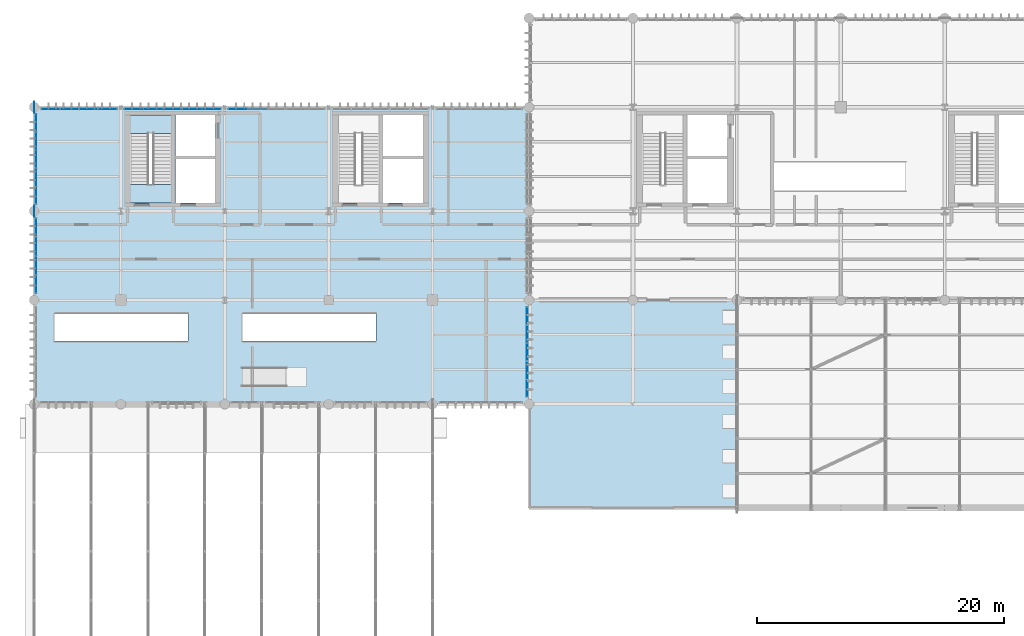
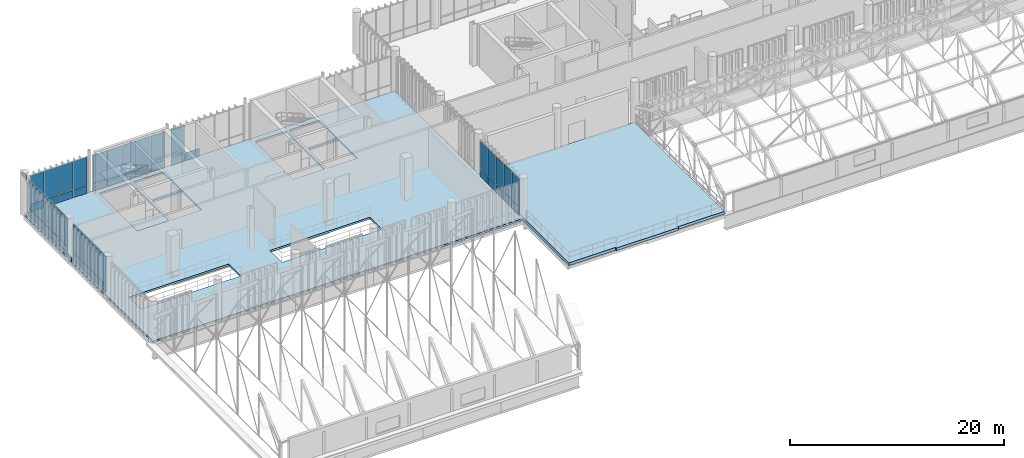
# One storey, part 80 of 109: 51 plates, 4 slabs, 7 elements without a shape of their own.
"""IFC4 building model written with IfcOpenShell, lengths in metres."""

import ifcopenshell
import ifcopenshell.guid

model = None  # the IFC model being written
_history = None  # IfcOwnerHistory: only IFC2X3 demands one
_inside = {}  # id of a spatial element -> (the spatial element, [elements in it])
_under = {}  # id of a project, library or spatial element -> (it, [spatial elements below it])
_declared = {}  # id of a project -> (the project, [libraries it declares])
_typed = {}  # id of a type object -> (the type object, [elements of that type])
_made_of = {}  # id of a material, layer set ... -> (it, [elements and type objects made of it])


def new_model(schema):
    """Start an empty IFC model of exactly this schema.

    Asked for "IFC4X3", IfcOpenShell would pick the latest addendum, in which some entities
    have other attributes; the version numbers below select the first issue.
    IFC2X3 requires an IfcOwnerHistory on every rooted entity: one is made here for all.
    """
    global model, _history
    if schema == "IFC4X3":
        model = ifcopenshell.file(schema_version=(4, 3, 0, 0))
    else:
        model = ifcopenshell.file(schema=schema)
    _inside.clear()
    _under.clear()
    _declared.clear()
    _typed.clear()
    _made_of.clear()
    _history = None
    if model.schema == "IFC2X3":
        org = make("IfcOrganization", Name="unknown")
        user = make(
            "IfcPersonAndOrganization",
            ThePerson=make("IfcPerson", FamilyName="unknown"),
            TheOrganization=org,
        )
        app = make(
            "IfcApplication",
            ApplicationDeveloper=org,
            Version="unknown",
            ApplicationFullName="unknown",
            ApplicationIdentifier="unknown",
        )
        _history = make(
            "IfcOwnerHistory",
            OwningUser=user,
            OwningApplication=app,
            ChangeAction="ADDED",
            CreationDate=0,
        )
    return model


def make(cls, **values):
    """One entity of the class cls with the attributes given. An attribute that is None is left unset."""
    return model.create_entity(
        cls, **{name: value for name, value in values.items() if value is not None}
    )


def rooted(cls, **values):
    """An entity with a GlobalId (a new one), such as an element, a storey or a relation."""
    return make(cls, GlobalId=ifcopenshell.guid.new(), OwnerHistory=_history, **values)


def si_unit(unit_type, name, prefix=None):
    """IfcSIUnit, for example si_unit("LENGTHUNIT", "METRE", prefix="MILLI")."""
    return make("IfcSIUnit", UnitType=unit_type, Prefix=prefix, Name=name)


def assignment(units):
    """IfcUnitAssignment: the units of a project."""
    return None if units is None else make("IfcUnitAssignment", Units=units)


def point(xyz):
    """IfcCartesianPoint."""
    return None if xyz is None else make("IfcCartesianPoint", Coordinates=xyz)


def direction(xyz):
    """IfcDirection."""
    return None if xyz is None else make("IfcDirection", DirectionRatios=xyz)


def frame(location, z_axis=None, x_axis=None):
    """IfcAxis2Placement3D, a coordinate frame: its origin and axes. An axis left out is left unset."""
    return make(
        "IfcAxis2Placement3D",
        Location=point(location),
        Axis=direction(z_axis),
        RefDirection=direction(x_axis),
    )


def frame_2d(location, x_axis=None):
    """IfcAxis2Placement2D, a coordinate frame in the plane: its origin and x axis."""
    return make(
        "IfcAxis2Placement2D", Location=point(location), RefDirection=direction(x_axis)
    )


def origin_with_axes():
    """The frame at (0, 0, 0) with the z axis (0, 0, 1) and the x axis (1, 0, 0) written out."""
    return frame((0.0, 0.0, 0.0), z_axis=(0.0, 0.0, 1.0), x_axis=(1.0, 0.0, 0.0))


def origin_2d_with_axis():
    """The frame at (0, 0) in the plane with the x axis (1, 0) written out."""
    return frame_2d((0.0, 0.0), x_axis=(1.0, 0.0))


def place(relative_to, where):
    """IfcLocalPlacement: puts the frame where relative to a parent placement (None: the world)."""
    return make(
        "IfcLocalPlacement", PlacementRelTo=relative_to, RelativePlacement=where
    )


def context(
    kind, dimensions, precision=None, world=None, true_north=None, identifier=None
):
    """IfcGeometricRepresentationContext, for example the 3D "Model" context."""
    return make(
        "IfcGeometricRepresentationContext",
        ContextIdentifier=identifier,
        ContextType=kind,
        CoordinateSpaceDimension=dimensions,
        Precision=precision,
        WorldCoordinateSystem=world,
        TrueNorth=true_north,
    )


def subcontext(parent, identifier, kind, view, scale=None):
    """IfcGeometricRepresentationSubContext, for example "Body" below "Model"."""
    return make(
        "IfcGeometricRepresentationSubContext",
        ContextIdentifier=identifier,
        ContextType=kind,
        ParentContext=parent,
        TargetScale=scale,
        TargetView=view,
    )


def project(units=None, contexts=None):
    """IfcProject with its units and contexts."""
    return rooted(
        "IfcProject",
        Name="project",
        RepresentationContexts=contexts,
        UnitsInContext=assignment(units),
    )


def spatial(cls, under=None, at=None, **own):
    """A site, building, storey or space (cls), placed at a placement, below another one or the project."""
    s = rooted(cls, ObjectPlacement=at, **own)
    if under is not None:
        _under.setdefault(under.id(), (under, []))[1].append(s)
    return s


def polyline(points):
    """IfcPolyline through the points."""
    return make("IfcPolyline", Points=[point(p) for p in points])


def profile(cls, at=None, kind="AREA", **sizes):
    """A parametric profile (cls). Its sizes go by their IFC names, for example OverallWidth=200.0."""
    return make(cls, ProfileType=kind, Position=at, **sizes)


def rectangle(**sizes):
    """IfcRectangleProfileDef."""
    return profile("IfcRectangleProfileDef", **sizes)


def outline(outer, holes=None, kind="AREA"):
    """IfcArbitraryClosedProfileDef: a profile drawn as a closed curve; with holes, ...WithVoids."""
    if holes is None:
        return make("IfcArbitraryClosedProfileDef", ProfileType=kind, OuterCurve=outer)
    return make(
        "IfcArbitraryProfileDefWithVoids",
        ProfileType=kind,
        OuterCurve=outer,
        InnerCurves=holes,
    )


def extrude(swept, where, along, depth):
    """IfcExtrudedAreaSolid: the profile swept, set in the frame where, extruded along a direction by depth."""
    return make(
        "IfcExtrudedAreaSolid",
        SweptArea=swept,
        Position=where,
        ExtrudedDirection=direction(along),
        Depth=depth,
    )


def shape(context_of_items, identifier, shape_type, items):
    """IfcShapeRepresentation: the items that make up one representation, for example the "Body"."""
    return make(
        "IfcShapeRepresentation",
        ContextOfItems=context_of_items,
        RepresentationIdentifier=identifier,
        RepresentationType=shape_type,
        Items=items,
    )


def material(Name=None, Category=None):
    """IfcMaterial."""
    return make("IfcMaterial", Name=Name, Category=Category)


def layer(
    of_material, thickness, ventilated=None, Name=None, Category=None, Priority=None
):
    """IfcMaterialLayer: one layer of a wall or slab, of a material (None: an air gap)."""
    return make(
        "IfcMaterialLayer",
        Material=of_material,
        LayerThickness=thickness,
        IsVentilated=ventilated,
        Name=Name,
        Category=Category,
        Priority=Priority,
    )


def layer_set(layers, Name=None):
    """IfcMaterialLayerSet."""
    return make("IfcMaterialLayerSet", MaterialLayers=layers, LayerSetName=Name)


def made_of(thing, what):
    """Note that an element or type object is made of a material, layer set ...; save() writes the relation."""
    if what is not None:
        _made_of.setdefault(what.id(), (what, []))[1].append(thing)
    return thing


def type_object(cls, material=None, **own):
    """A type object (cls), such as IfcWallType, which elements share."""
    return made_of(rooted(cls, **own), material)


def element(
    cls,
    number,
    at=None,
    inside=None,
    cuts=None,
    type_object=None,
    material=None,
    context=None,
    identifier="Body",
    shape_type=None,
    held_by="IfcProductDefinitionShape",
    body=None,
    shapes=None,
    **own,
):
    """One element of the class cls, such as IfcWall. Its Tag is "e" and its number.

    at: its placement. inside: the storey or other place that contains it. cuts: it is an
    opening in that element (IfcRelVoidsElement). A single representation is given by context,
    identifier, shape_type and body (its items); several are given by shapes. held_by: the class
    of the entity that holds the representations. save() writes the other relations.
    """
    e = rooted(cls, Tag="e%d" % number, ObjectPlacement=at, **own)
    if body is not None:
        shapes = [shape(context, identifier, shape_type, body)]
    if shapes is not None:
        e.Representation = make(held_by, Representations=shapes)
    if inside is not None:
        _inside.setdefault(inside.id(), (inside, []))[1].append(e)
    if cuts is not None:
        rooted(
            "IfcRelVoidsElement", RelatingBuildingElement=cuts, RelatedOpeningElement=e
        )
    if type_object is not None:
        _typed.setdefault(type_object.id(), (type_object, []))[1].append(e)
    return made_of(e, material)


def aggregate(whole, parts):
    """IfcRelAggregates: a whole, such as a stair, and the parts it consists of."""
    return rooted("IfcRelAggregates", RelatingObject=whole, RelatedObjects=parts)


def save(model, path):
    """Write the relations noted so far, then the file.

    IfcRelAggregates (storeys below a building ...), IfcRelContainedInSpatialStructure (elements
    in a storey), IfcRelDefinesByType, IfcRelAssociatesMaterial and IfcRelDeclares: one each for
    every whole, place, type object, material and project.
    """
    for whole, parts in _under.values():
        aggregate(whole, parts)
    for where, things in _inside.values():
        rooted(
            "IfcRelContainedInSpatialStructure",
            RelatedElements=things,
            RelatingStructure=where,
        )
    for kind, things in _typed.values():
        rooted("IfcRelDefinesByType", RelatedObjects=things, RelatingType=kind)
    for what, things in _made_of.values():
        rooted("IfcRelAssociatesMaterial", RelatedObjects=things, RelatingMaterial=what)
    for by, libraries in _declared.values():
        rooted("IfcRelDeclares", RelatingContext=by, RelatedDefinitions=libraries)
    model.write(path)


model = new_model("IFC4")

# Units and contexts
model_context = context("Model", 3, precision=1e-05, world=origin_with_axes(), true_north=direction((0.0, 1.0)))
body_context = subcontext(model_context, "Body", "Model", "MODEL_VIEW")
ifc_project = project(units=[si_unit("LENGTHUNIT", "METRE"), si_unit("AREAUNIT", "SQUARE_METRE"), si_unit("VOLUMEUNIT", "CUBIC_METRE"), si_unit("PLANEANGLEUNIT", "RADIAN"), si_unit("MASSUNIT", "GRAM", prefix="KILO"), si_unit("THERMODYNAMICTEMPERATUREUNIT", "KELVIN")], contexts=[model_context])

# Site, building, storey
site_placement = place(None, origin_with_axes())
site = spatial("IfcSite", under=ifc_project, at=site_placement, CompositionType="ELEMENT")
building_placement = place(site_placement, origin_with_axes())
building = spatial("IfcBuilding", under=site, at=building_placement, Name="Montbau Bow Law Courts", CompositionType="ELEMENT")
storey_placement = place(building_placement, frame((0.0, 0.0, 10.8), z_axis=(0.0, 0.0, 1.0), x_axis=(1.0, 0.0, 0.0)))
storey = spatial("IfcBuildingStorey", under=building, at=storey_placement, Name="L02", CompositionType="ELEMENT", Elevation=10.8)

# Curtain wall, plates
ifc_material_1 = material(Name="Thermally Broken Extruded Aluminium AA 6063-T6", Category="aluminium")
curtain_wall_type = type_object("IfcCurtainWallType", Name="CW-TRC-01", PredefinedType="NOTDEFINED", material=ifc_material_1)
curtain_wall_1_placement = place(None, frame((7.315, 54.46, 10.8), z_axis=(0.0, 0.0, 1.0), x_axis=(1.0, 0.0, 0.0)))
curtain_wall_1 = element("IfcCurtainWall", 1, at=curtain_wall_1_placement, inside=storey, type_object=curtain_wall_type, Name="CW-L02-039:cw_0039", PredefinedType="NOTDEFINED")
ifc_material_2 = material(Name="Triple-Glazed Low-E Argon Insulating Glass Unit", Category="glass")
ifc_layer_1 = layer(ifc_material_2, 0.044, Name="Curtain Panel", Category="glass")
ifc_layer_set_1 = layer_set([ifc_layer_1], Name="Triple-Glazed Low-E Argon Insulating Glass Unit")
plate_type_1 = type_object("IfcPlateType", Name="PL-CWP-01", PredefinedType="CURTAIN_PANEL", material=ifc_layer_set_1)
plate_1_placement = place(None, frame((7.391, 54.46, 11.78), z_axis=(0.0, -1.0, 0.0), x_axis=(1.0, 0.0, 0.0)))
plate_1 = element("IfcPlate", 2, at=plate_1_placement, type_object=plate_type_1, Name="CW-L02-039-P01-2:cw_0039_P01_2", PredefinedType="CURTAIN_PANEL", context=body_context, shape_type="SweptSolid", body=[
    extrude(rectangle(XDim=1.438, YDim=3.183, at=frame_2d((0.719, 1.5915), x_axis=(1.0, 0.0))), frame((0.0, 0.0, -0.022), z_axis=(0.0, 0.0, 1.0), x_axis=(1.0, 0.0, 0.0)), (0.0, 0.0, 1.0), 0.044),
])
plate_2_placement = place(None, frame((8.909, 54.46, 11.78), z_axis=(0.0, -1.0, 0.0), x_axis=(1.0, 0.0, 0.0)))
plate_2 = element("IfcPlate", 3, at=plate_2_placement, type_object=plate_type_1, Name="CW-L02-039-P02-2:cw_0039_P02_2", PredefinedType="CURTAIN_PANEL", context=body_context, shape_type="SweptSolid", body=[
    extrude(rectangle(XDim=1.476, YDim=3.183, at=frame_2d((0.738, 1.5915), x_axis=(1.0, 0.0))), frame((0.0, 0.0, -0.022), z_axis=(0.0, 0.0, 1.0), x_axis=(1.0, 0.0, 0.0)), (0.0, 0.0, 1.0), 0.044),
])
plate_3_placement = place(None, frame((10.463, 54.46, 11.78), z_axis=(0.0, -1.0, 0.0), x_axis=(1.0, 0.0, 0.0)))
plate_3 = element("IfcPlate", 4, at=plate_3_placement, type_object=plate_type_1, Name="CW-L02-039-P03-2:cw_0039_P03_2", PredefinedType="CURTAIN_PANEL", context=body_context, shape_type="SweptSolid", body=[
    extrude(rectangle(XDim=1.476, YDim=3.183, at=frame_2d((0.738, 1.5915), x_axis=(1.0, 0.0))), frame((0.0, 0.0, -0.022), z_axis=(0.0, 0.0, 1.0), x_axis=(1.0, 0.0, 0.0)), (0.0, 0.0, 1.0), 0.044),
])
plate_4_placement = place(None, frame((12.017, 54.46, 11.78), z_axis=(0.0, -1.0, 0.0), x_axis=(1.0, 0.0, 0.0)))
plate_4 = element("IfcPlate", 5, at=plate_4_placement, type_object=plate_type_1, Name="CW-L02-039-P04-2:cw_0039_P04_2", PredefinedType="CURTAIN_PANEL", context=body_context, shape_type="SweptSolid", body=[
    extrude(rectangle(XDim=1.439, YDim=3.183, at=frame_2d((0.7195, 1.5915), x_axis=(1.0, 0.0))), frame((0.0, 0.0, -0.022), z_axis=(0.0, 0.0, 1.0), x_axis=(1.0, 0.0, 0.0)), (0.0, 0.0, 1.0), 0.044),
])

curtain_wall_2_placement = place(None, frame((14.068, 54.46, 10.8), z_axis=(0.0, 0.0, 1.0), x_axis=(1.0, 0.0, 0.0)))
curtain_wall_2 = element("IfcCurtainWall", 6, at=curtain_wall_2_placement, inside=storey, type_object=curtain_wall_type, Name="CW-L02-040:cw_0040", PredefinedType="NOTDEFINED")
plate_5_placement = place(None, frame((14.136, 54.46, 11.782), z_axis=(0.0, -1.0, 0.0), x_axis=(1.0, 0.0, 0.0)))
plate_5 = element("IfcPlate", 7, at=plate_5_placement, type_object=plate_type_1, Name="CW-L02-040-P01-2:cw_0040_P01_2", PredefinedType="CURTAIN_PANEL", context=body_context, shape_type="SweptSolid", body=[
    extrude(rectangle(XDim=1.47, YDim=3.176, at=frame_2d((0.735, 1.588), x_axis=(1.0, 0.0))), frame((0.0, 0.0, -0.022), z_axis=(0.0, 0.0, 1.0), x_axis=(1.0, 0.0, 0.0)), (0.0, 0.0, 1.0), 0.044),
])
plate_6_placement = place(None, frame((15.675, 54.46, 11.782), z_axis=(0.0, -1.0, 0.0), x_axis=(1.0, 0.0, 0.0)))
plate_6 = element("IfcPlate", 8, at=plate_6_placement, type_object=plate_type_1, Name="CW-L02-040-P02-2:cw_0040_P02_2", PredefinedType="CURTAIN_PANEL", context=body_context, shape_type="SweptSolid", body=[
    extrude(rectangle(XDim=1.504, YDim=3.176, at=frame_2d((0.752, 1.588), x_axis=(1.0, 0.0))), frame((0.0, 0.0, -0.022), z_axis=(0.0, 0.0, 1.0), x_axis=(1.0, 0.0, 0.0)), (0.0, 0.0, 1.0), 0.044),
])
plate_7_placement = place(None, frame((17.248, 54.46, 11.782), z_axis=(0.0, -1.0, 0.0), x_axis=(1.0, 0.0, 0.0)))
plate_7 = element("IfcPlate", 9, at=plate_7_placement, type_object=plate_type_1, Name="CW-L02-040-P03-2:cw_0040_P03_2", PredefinedType="CURTAIN_PANEL", context=body_context, shape_type="SweptSolid", body=[
    extrude(rectangle(XDim=1.505, YDim=3.176, at=frame_2d((0.7525, 1.588), x_axis=(1.0, 0.0))), frame((0.0, 0.0, -0.022), z_axis=(0.0, 0.0, 1.0), x_axis=(1.0, 0.0, 0.0)), (0.0, 0.0, 1.0), 0.044),
])
plate_8_placement = place(None, frame((18.821, 54.46, 11.782), z_axis=(0.0, -1.0, 0.0), x_axis=(1.0, 0.0, 0.0)))
plate_8 = element("IfcPlate", 10, at=plate_8_placement, type_object=plate_type_1, Name="CW-L02-040-P04-2:cw_0040_P04_2", PredefinedType="CURTAIN_PANEL", context=body_context, shape_type="SweptSolid", body=[
    extrude(rectangle(XDim=1.505, YDim=3.176, at=frame_2d((0.7525, 1.588), x_axis=(1.0, 0.0))), frame((0.0, 0.0, -0.022), z_axis=(0.0, 0.0, 1.0), x_axis=(1.0, 0.0, 0.0)), (0.0, 0.0, 1.0), 0.044),
])
plate_9_placement = place(None, frame((20.394, 54.46, 11.782), z_axis=(0.0, -1.0, 0.0), x_axis=(1.0, 0.0, 0.0)))
plate_9 = element("IfcPlate", 11, at=plate_9_placement, type_object=plate_type_1, Name="CW-L02-040-P05-2:cw_0040_P05_2", PredefinedType="CURTAIN_PANEL", context=body_context, shape_type="SweptSolid", body=[
    extrude(rectangle(XDim=1.473, YDim=3.176, at=frame_2d((0.7365, 1.588), x_axis=(1.0, 0.0))), frame((0.0, 0.0, -0.022), z_axis=(0.0, 0.0, 1.0), x_axis=(1.0, 0.0, 0.0)), (0.0, 0.0, 1.0), 0.044),
])

# Curtain wall, plate
curtain_wall_3_placement = place(None, frame((22.467, 54.46, 10.8), z_axis=(0.0, 0.0, 1.0), x_axis=(1.0, 0.0, 0.0)))
curtain_wall_3 = element("IfcCurtainWall", 12, at=curtain_wall_3_placement, inside=storey, type_object=curtain_wall_type, Name="CW-L02-041:cw_0041", PredefinedType="NOTDEFINED")
plate_10_placement = place(None, frame((22.529, 54.46, 11.78), z_axis=(0.0, -1.0, 0.0), x_axis=(1.0, 0.0, 0.0)))
plate_10 = element("IfcPlate", 13, at=plate_10_placement, type_object=plate_type_1, Name="CW-L02-041-P01-2:cw_0041_P01_2", PredefinedType="CURTAIN_PANEL", context=body_context, shape_type="SweptSolid", body=[
    extrude(rectangle(XDim=1.479, YDim=3.183, at=frame_2d((0.7395, 1.5915), x_axis=(1.0, 0.0))), frame((0.0, 0.0, -0.022), z_axis=(0.0, 0.0, 1.0), x_axis=(1.0, 0.0, 0.0)), (0.0, 0.0, 1.0), 0.044),
])

# Curtain wall, plates
curtain_wall_4_placement = place(None, frame((6.94, 39.515, 10.8), z_axis=(0.0, 0.0, 1.0), x_axis=(1.0, 0.0, 0.0)))
curtain_wall_4 = element("IfcCurtainWall", 14, at=curtain_wall_4_placement, inside=storey, type_object=curtain_wall_type, Name="CW-L02-045:cw_0045", PredefinedType="NOTDEFINED")
plate_11_placement = place(None, frame((6.94, 39.591, 11.78), z_axis=(1.0, 0.0, 0.0), x_axis=(0.0, 1.0, 0.0)))
plate_11 = element("IfcPlate", 15, at=plate_11_placement, type_object=plate_type_1, Name="CW-L02-045-P01-2:cw_0045_P01_2", PredefinedType="CURTAIN_PANEL", context=body_context, shape_type="SweptSolid", body=[
    extrude(rectangle(XDim=1.427, YDim=3.183, at=frame_2d((0.7135, 1.5915), x_axis=(1.0, 0.0))), frame((0.0, 0.0, -0.022), z_axis=(0.0, 0.0, 1.0), x_axis=(1.0, 0.0, 0.0)), (0.0, 0.0, 1.0), 0.044),
])
plate_12_placement = place(None, frame((6.94, 41.098, 11.78), z_axis=(1.0, 0.0, 0.0), x_axis=(0.0, 1.0, 0.0)))
plate_12 = element("IfcPlate", 16, at=plate_12_placement, type_object=plate_type_1, Name="CW-L02-045-P02-2:cw_0045_P02_2", PredefinedType="CURTAIN_PANEL", context=body_context, shape_type="SweptSolid", body=[
    extrude(rectangle(XDim=1.463, YDim=3.183, at=frame_2d((0.7315, 1.5915), x_axis=(1.0, 0.0))), frame((0.0, 0.0, -0.022), z_axis=(0.0, 0.0, 1.0), x_axis=(1.0, 0.0, 0.0)), (0.0, 0.0, 1.0), 0.044),
])
plate_13_placement = place(None, frame((6.94, 42.639, 11.78), z_axis=(1.0, 0.0, 0.0), x_axis=(0.0, 1.0, 0.0)))
plate_13 = element("IfcPlate", 17, at=plate_13_placement, type_object=plate_type_1, Name="CW-L02-045-P03-2:cw_0045_P03_2", PredefinedType="CURTAIN_PANEL", context=body_context, shape_type="SweptSolid", body=[
    extrude(rectangle(XDim=1.465, YDim=3.183, at=frame_2d((0.7325, 1.5915), x_axis=(1.0, 0.0))), frame((0.0, 0.0, -0.022), z_axis=(0.0, 0.0, 1.0), x_axis=(1.0, 0.0, 0.0)), (0.0, 0.0, 1.0), 0.044),
])
plate_14_placement = place(None, frame((6.94, 44.182, 11.78), z_axis=(1.0, 0.0, 0.0), x_axis=(0.0, 1.0, 0.0)))
plate_14 = element("IfcPlate", 18, at=plate_14_placement, type_object=plate_type_1, Name="CW-L02-045-P04-2:cw_0045_P04_2", PredefinedType="CURTAIN_PANEL", context=body_context, shape_type="SweptSolid", body=[
    extrude(rectangle(XDim=1.427, YDim=3.183, at=frame_2d((0.7135, 1.5915), x_axis=(1.0, 0.0))), frame((0.0, 0.0, -0.022), z_axis=(0.0, 0.0, 1.0), x_axis=(1.0, 0.0, 0.0)), (0.0, 0.0, 1.0), 0.044),
])

curtain_wall_5_placement = place(None, frame((6.94, 46.715, 10.8), z_axis=(0.0, 0.0, 1.0), x_axis=(1.0, 0.0, 0.0)))
curtain_wall_5 = element("IfcCurtainWall", 19, at=curtain_wall_5_placement, inside=storey, type_object=curtain_wall_type, Name="CW-L02-046:cw_0046", PredefinedType="NOTDEFINED")
plate_15_placement = place(None, frame((6.94, 46.783, 11.782), z_axis=(1.0, 0.0, 0.0), x_axis=(0.0, 1.0, 0.0)))
plate_15 = element("IfcPlate", 20, at=plate_15_placement, type_object=plate_type_1, Name="CW-L02-046-P01-2:cw_0046_P01_2", PredefinedType="CURTAIN_PANEL", context=body_context, shape_type="SweptSolid", body=[
    extrude(rectangle(XDim=1.372, YDim=3.176, at=frame_2d((0.686, 1.588), x_axis=(1.0, 0.0))), frame((0.0, 0.0, -0.022), z_axis=(0.0, 0.0, 1.0), x_axis=(1.0, 0.0, 0.0)), (0.0, 0.0, 1.0), 0.044),
])
plate_16_placement = place(None, frame((6.94, 48.223, 11.782), z_axis=(1.0, 0.0, 0.0), x_axis=(0.0, 1.0, 0.0)))
plate_16 = element("IfcPlate", 21, at=plate_16_placement, type_object=plate_type_1, Name="CW-L02-046-P02-2:cw_0046_P02_2", PredefinedType="CURTAIN_PANEL", context=body_context, shape_type="SweptSolid", body=[
    extrude(rectangle(XDim=1.405, YDim=3.176, at=frame_2d((0.7025, 1.588), x_axis=(1.0, 0.0))), frame((0.0, 0.0, -0.022), z_axis=(0.0, 0.0, 1.0), x_axis=(1.0, 0.0, 0.0)), (0.0, 0.0, 1.0), 0.044),
])
plate_17_placement = place(None, frame((6.94, 49.697, 11.782), z_axis=(1.0, 0.0, 0.0), x_axis=(0.0, 1.0, 0.0)))
plate_17 = element("IfcPlate", 22, at=plate_17_placement, type_object=plate_type_1, Name="CW-L02-046-P03-2:cw_0046_P03_2", PredefinedType="CURTAIN_PANEL", context=body_context, shape_type="SweptSolid", body=[
    extrude(rectangle(XDim=1.406, YDim=3.176, at=frame_2d((0.703, 1.588), x_axis=(1.0, 0.0))), frame((0.0, 0.0, -0.022), z_axis=(0.0, 0.0, 1.0), x_axis=(1.0, 0.0, 0.0)), (0.0, 0.0, 1.0), 0.044),
])
plate_18_placement = place(None, frame((6.94, 51.171, 11.782), z_axis=(1.0, 0.0, 0.0), x_axis=(0.0, 1.0, 0.0)))
plate_18 = element("IfcPlate", 23, at=plate_18_placement, type_object=plate_type_1, Name="CW-L02-046-P04-2:cw_0046_P04_2", PredefinedType="CURTAIN_PANEL", context=body_context, shape_type="SweptSolid", body=[
    extrude(rectangle(XDim=1.406, YDim=3.176, at=frame_2d((0.703, 1.588), x_axis=(1.0, 0.0))), frame((0.0, 0.0, -0.022), z_axis=(0.0, 0.0, 1.0), x_axis=(1.0, 0.0, 0.0)), (0.0, 0.0, 1.0), 0.044),
])
plate_19_placement = place(None, frame((6.94, 52.645, 11.782), z_axis=(1.0, 0.0, 0.0), x_axis=(0.0, 1.0, 0.0)))
plate_19 = element("IfcPlate", 24, at=plate_19_placement, type_object=plate_type_1, Name="CW-L02-046-P05-2:cw_0046_P05_2", PredefinedType="CURTAIN_PANEL", context=body_context, shape_type="SweptSolid", body=[
    extrude(rectangle(XDim=1.373, YDim=3.176, at=frame_2d((0.6865, 1.588), x_axis=(1.0, 0.0))), frame((0.0, 0.0, -0.022), z_axis=(0.0, 0.0, 1.0), x_axis=(1.0, 0.0, 0.0)), (0.0, 0.0, 1.0), 0.044),
])

curtain_wall_6_placement = place(None, frame((46.66, 31.115, 10.8), z_axis=(0.0, 0.0, 1.0), x_axis=(1.0, 0.0, 0.0)))
curtain_wall_6 = element("IfcCurtainWall", 25, at=curtain_wall_6_placement, inside=storey, type_object=curtain_wall_type, Name="CW-L02-047:cw_0047", PredefinedType="NOTDEFINED")
plate_20_placement = place(None, frame((46.66, 31.177, 11.78), z_axis=(1.0, 0.0, 0.0), x_axis=(0.0, 1.0, 0.0)))
plate_20 = element("IfcPlate", 26, at=plate_20_placement, type_object=plate_type_1, Name="CW-L02-047-P01-2:cw_0047_P01_2", PredefinedType="CURTAIN_PANEL", context=body_context, shape_type="SweptSolid", body=[
    extrude(rectangle(XDim=1.38, YDim=3.183, at=frame_2d((0.69, 1.5915), x_axis=(1.0, 0.0))), frame((0.0, 0.0, -0.022), z_axis=(0.0, 0.0, 1.0), x_axis=(1.0, 0.0, 0.0)), (0.0, 0.0, 1.0), 0.044),
])
plate_21_placement = place(None, frame((46.66, 32.621, 11.78), z_axis=(1.0, 0.0, 0.0), x_axis=(0.0, 1.0, 0.0)))
plate_21 = element("IfcPlate", 27, at=plate_21_placement, type_object=plate_type_1, Name="CW-L02-047-P02-2:cw_0047_P02_2", PredefinedType="CURTAIN_PANEL", context=body_context, shape_type="SweptSolid", body=[
    extrude(rectangle(XDim=1.41, YDim=3.183, at=frame_2d((0.705, 1.5915), x_axis=(1.0, 0.0))), frame((0.0, 0.0, -0.022), z_axis=(0.0, 0.0, 1.0), x_axis=(1.0, 0.0, 0.0)), (0.0, 0.0, 1.0), 0.044),
])
plate_22_placement = place(None, frame((46.66, 34.095, 11.78), z_axis=(1.0, 0.0, 0.0), x_axis=(0.0, 1.0, 0.0)))
plate_22 = element("IfcPlate", 28, at=plate_22_placement, type_object=plate_type_1, Name="CW-L02-047-P03-2:cw_0047_P03_2", PredefinedType="CURTAIN_PANEL", context=body_context, shape_type="SweptSolid", body=[
    extrude(rectangle(XDim=1.41, YDim=3.183, at=frame_2d((0.705, 1.5915), x_axis=(1.0, 0.0))), frame((0.0, 0.0, -0.022), z_axis=(0.0, 0.0, 1.0), x_axis=(1.0, 0.0, 0.0)), (0.0, 0.0, 1.0), 0.044),
])
plate_23_placement = place(None, frame((46.66, 35.569, 11.78), z_axis=(1.0, 0.0, 0.0), x_axis=(0.0, 1.0, 0.0)))
plate_23 = element("IfcPlate", 29, at=plate_23_placement, type_object=plate_type_1, Name="CW-L02-047-P04-2:cw_0047_P04_2", PredefinedType="CURTAIN_PANEL", context=body_context, shape_type="SweptSolid", body=[
    extrude(rectangle(XDim=1.41, YDim=3.183, at=frame_2d((0.705, 1.5915), x_axis=(1.0, 0.0))), frame((0.0, 0.0, -0.022), z_axis=(0.0, 0.0, 1.0), x_axis=(1.0, 0.0, 0.0)), (0.0, 0.0, 1.0), 0.044),
])
plate_24_placement = place(None, frame((46.66, 37.043, 11.78), z_axis=(1.0, 0.0, 0.0), x_axis=(0.0, 1.0, 0.0)))
plate_24 = element("IfcPlate", 30, at=plate_24_placement, type_object=plate_type_1, Name="CW-L02-047-P05-2:cw_0047_P05_2", PredefinedType="CURTAIN_PANEL", context=body_context, shape_type="SweptSolid", body=[
    extrude(rectangle(XDim=1.38, YDim=3.183, at=frame_2d((0.69, 1.5915), x_axis=(1.0, 0.0))), frame((0.0, 0.0, -0.022), z_axis=(0.0, 0.0, 1.0), x_axis=(1.0, 0.0, 0.0)), (0.0, 0.0, 1.0), 0.044),
])

# Plate
ifc_material_3 = material(Name="Insulated Ceramic-Frit Spandrel Glazing Unit", Category="glass")
ifc_layer_2 = layer(ifc_material_3, 0.056, Name="Curtain Panel", Category="glass")
ifc_layer_set_2 = layer_set([ifc_layer_2], Name="Insulated Ceramic-Frit Spandrel Glazing Unit")
plate_type_2 = type_object("IfcPlateType", Name="PL-CWP-02", PredefinedType="CURTAIN_PANEL", material=ifc_layer_set_2)
plate_25_placement = place(None, frame((7.391, 54.46, 10.857), z_axis=(0.0, -1.0, 0.0), x_axis=(1.0, 0.0, 0.0)))
plate_25 = element("IfcPlate", 31, at=plate_25_placement, type_object=plate_type_2, Name="CW-L02-039-P01-1:cw_0039_P01_1", PredefinedType="CURTAIN_PANEL", context=body_context, shape_type="SweptSolid", body=[
    extrude(rectangle(XDim=1.438, YDim=0.863, at=frame_2d((0.719, 0.4315), x_axis=(1.0, 0.0))), frame((0.0, 0.0, -0.028), z_axis=(0.0, 0.0, 1.0), x_axis=(1.0, 0.0, 0.0)), (0.0, 0.0, 1.0), 0.056),
])

plate_26_placement = place(None, frame((8.909, 54.46, 10.857), z_axis=(0.0, -1.0, 0.0), x_axis=(1.0, 0.0, 0.0)))
plate_26 = element("IfcPlate", 32, at=plate_26_placement, type_object=plate_type_2, Name="CW-L02-039-P02-1:cw_0039_P02_1", PredefinedType="CURTAIN_PANEL", context=body_context, shape_type="SweptSolid", body=[
    extrude(rectangle(XDim=1.476, YDim=0.863, at=frame_2d((0.738, 0.4315), x_axis=(1.0, 0.0))), frame((0.0, 0.0, -0.028), z_axis=(0.0, 0.0, 1.0), x_axis=(1.0, 0.0, 0.0)), (0.0, 0.0, 1.0), 0.056),
])

plate_27_placement = place(None, frame((10.463, 54.46, 10.857), z_axis=(0.0, -1.0, 0.0), x_axis=(1.0, 0.0, 0.0)))
plate_27 = element("IfcPlate", 33, at=plate_27_placement, type_object=plate_type_2, Name="CW-L02-039-P03-1:cw_0039_P03_1", PredefinedType="CURTAIN_PANEL", context=body_context, shape_type="SweptSolid", body=[
    extrude(rectangle(XDim=1.476, YDim=0.863, at=frame_2d((0.738, 0.4315), x_axis=(1.0, 0.0))), frame((0.0, 0.0, -0.028), z_axis=(0.0, 0.0, 1.0), x_axis=(1.0, 0.0, 0.0)), (0.0, 0.0, 1.0), 0.056),
])

plate_28_placement = place(None, frame((12.017, 54.46, 10.857), z_axis=(0.0, -1.0, 0.0), x_axis=(1.0, 0.0, 0.0)))
plate_28 = element("IfcPlate", 34, at=plate_28_placement, type_object=plate_type_2, Name="CW-L02-039-P04-1:cw_0039_P04_1", PredefinedType="CURTAIN_PANEL", context=body_context, shape_type="SweptSolid", body=[
    extrude(rectangle(XDim=1.439, YDim=0.863, at=frame_2d((0.7195, 0.4315), x_axis=(1.0, 0.0))), frame((0.0, 0.0, -0.028), z_axis=(0.0, 0.0, 1.0), x_axis=(1.0, 0.0, 0.0)), (0.0, 0.0, 1.0), 0.056),
])

aggregate(curtain_wall_1, [plate_25, plate_1, plate_26, plate_2, plate_27, plate_3, plate_28, plate_4])

plate_29_placement = place(None, frame((14.136, 54.46, 10.862), z_axis=(0.0, -1.0, 0.0), x_axis=(1.0, 0.0, 0.0)))
plate_29 = element("IfcPlate", 35, at=plate_29_placement, type_object=plate_type_2, Name="CW-L02-040-P01-1:cw_0040_P01_1", PredefinedType="CURTAIN_PANEL", context=body_context, shape_type="SweptSolid", body=[
    extrude(rectangle(XDim=1.47, YDim=0.856, at=frame_2d((0.735, 0.428), x_axis=(1.0, 0.0))), frame((0.0, 0.0, -0.028), z_axis=(0.0, 0.0, 1.0), x_axis=(1.0, 0.0, 0.0)), (0.0, 0.0, 1.0), 0.056),
])

plate_30_placement = place(None, frame((15.675, 54.46, 10.862), z_axis=(0.0, -1.0, 0.0), x_axis=(1.0, 0.0, 0.0)))
plate_30 = element("IfcPlate", 36, at=plate_30_placement, type_object=plate_type_2, Name="CW-L02-040-P02-1:cw_0040_P02_1", PredefinedType="CURTAIN_PANEL", context=body_context, shape_type="SweptSolid", body=[
    extrude(rectangle(XDim=1.504, YDim=0.856, at=frame_2d((0.752, 0.428), x_axis=(1.0, 0.0))), frame((0.0, 0.0, -0.028), z_axis=(0.0, 0.0, 1.0), x_axis=(1.0, 0.0, 0.0)), (0.0, 0.0, 1.0), 0.056),
])

plate_31_placement = place(None, frame((17.248, 54.46, 10.862), z_axis=(0.0, -1.0, 0.0), x_axis=(1.0, 0.0, 0.0)))
plate_31 = element("IfcPlate", 37, at=plate_31_placement, type_object=plate_type_2, Name="CW-L02-040-P03-1:cw_0040_P03_1", PredefinedType="CURTAIN_PANEL", context=body_context, shape_type="SweptSolid", body=[
    extrude(rectangle(XDim=1.505, YDim=0.856, at=frame_2d((0.7525, 0.428), x_axis=(1.0, 0.0))), frame((0.0, 0.0, -0.028), z_axis=(0.0, 0.0, 1.0), x_axis=(1.0, 0.0, 0.0)), (0.0, 0.0, 1.0), 0.056),
])

plate_32_placement = place(None, frame((18.821, 54.46, 10.862), z_axis=(0.0, -1.0, 0.0), x_axis=(1.0, 0.0, 0.0)))
plate_32 = element("IfcPlate", 38, at=plate_32_placement, type_object=plate_type_2, Name="CW-L02-040-P04-1:cw_0040_P04_1", PredefinedType="CURTAIN_PANEL", context=body_context, shape_type="SweptSolid", body=[
    extrude(rectangle(XDim=1.505, YDim=0.856, at=frame_2d((0.7525, 0.428), x_axis=(1.0, 0.0))), frame((0.0, 0.0, -0.028), z_axis=(0.0, 0.0, 1.0), x_axis=(1.0, 0.0, 0.0)), (0.0, 0.0, 1.0), 0.056),
])

plate_33_placement = place(None, frame((20.394, 54.46, 10.862), z_axis=(0.0, -1.0, 0.0), x_axis=(1.0, 0.0, 0.0)))
plate_33 = element("IfcPlate", 39, at=plate_33_placement, type_object=plate_type_2, Name="CW-L02-040-P05-1:cw_0040_P05_1", PredefinedType="CURTAIN_PANEL", context=body_context, shape_type="SweptSolid", body=[
    extrude(rectangle(XDim=1.473, YDim=0.856, at=frame_2d((0.7365, 0.428), x_axis=(1.0, 0.0))), frame((0.0, 0.0, -0.028), z_axis=(0.0, 0.0, 1.0), x_axis=(1.0, 0.0, 0.0)), (0.0, 0.0, 1.0), 0.056),
])

aggregate(curtain_wall_2, [plate_29, plate_5, plate_30, plate_6, plate_31, plate_7, plate_32, plate_8, plate_33, plate_9])

plate_34_placement = place(None, frame((22.529, 54.46, 10.857), z_axis=(0.0, -1.0, 0.0), x_axis=(1.0, 0.0, 0.0)))
plate_34 = element("IfcPlate", 40, at=plate_34_placement, type_object=plate_type_2, Name="CW-L02-041-P01-1:cw_0041_P01_1", PredefinedType="CURTAIN_PANEL", context=body_context, shape_type="SweptSolid", body=[
    extrude(rectangle(XDim=1.479, YDim=0.863, at=frame_2d((0.7395, 0.4315), x_axis=(1.0, 0.0))), frame((0.0, 0.0, -0.028), z_axis=(0.0, 0.0, 1.0), x_axis=(1.0, 0.0, 0.0)), (0.0, 0.0, 1.0), 0.056),
])

plate_35_placement = place(None, frame((24.072, 54.46, 10.857), z_axis=(0.0, -1.0, 0.0), x_axis=(1.0, 0.0, 0.0)))
plate_35 = element("IfcPlate", 41, at=plate_35_placement, type_object=plate_type_2, Name="CW-L02-041-P02-1:cw_0041_P02_1", PredefinedType="CURTAIN_PANEL", context=body_context, shape_type="SweptSolid", body=[
    extrude(rectangle(XDim=1.509, YDim=0.863, at=frame_2d((0.7545, 0.4315), x_axis=(1.0, 0.0))), frame((0.0, 0.0, -0.028), z_axis=(0.0, 0.0, 1.0), x_axis=(1.0, 0.0, 0.0)), (0.0, 0.0, 1.0), 0.056),
])

aggregate(curtain_wall_3, [plate_34, plate_10, plate_35])

plate_36_placement = place(None, frame((6.94, 39.591, 10.857), z_axis=(1.0, 0.0, 0.0), x_axis=(0.0, 1.0, 0.0)))
plate_36 = element("IfcPlate", 42, at=plate_36_placement, type_object=plate_type_2, Name="CW-L02-045-P01-1:cw_0045_P01_1", PredefinedType="CURTAIN_PANEL", context=body_context, shape_type="SweptSolid", body=[
    extrude(rectangle(XDim=1.427, YDim=0.863, at=frame_2d((0.7135, 0.4315), x_axis=(1.0, 0.0))), frame((0.0, 0.0, -0.028), z_axis=(0.0, 0.0, 1.0), x_axis=(1.0, 0.0, 0.0)), (0.0, 0.0, 1.0), 0.056),
])

plate_37_placement = place(None, frame((6.94, 41.098, 10.857), z_axis=(1.0, 0.0, 0.0), x_axis=(0.0, 1.0, 0.0)))
plate_37 = element("IfcPlate", 43, at=plate_37_placement, type_object=plate_type_2, Name="CW-L02-045-P02-1:cw_0045_P02_1", PredefinedType="CURTAIN_PANEL", context=body_context, shape_type="SweptSolid", body=[
    extrude(rectangle(XDim=1.463, YDim=0.863, at=frame_2d((0.7315, 0.4315), x_axis=(1.0, 0.0))), frame((0.0, 0.0, -0.028), z_axis=(0.0, 0.0, 1.0), x_axis=(1.0, 0.0, 0.0)), (0.0, 0.0, 1.0), 0.056),
])

plate_38_placement = place(None, frame((6.94, 42.639, 10.857), z_axis=(1.0, 0.0, 0.0), x_axis=(0.0, 1.0, 0.0)))
plate_38 = element("IfcPlate", 44, at=plate_38_placement, type_object=plate_type_2, Name="CW-L02-045-P03-1:cw_0045_P03_1", PredefinedType="CURTAIN_PANEL", context=body_context, shape_type="SweptSolid", body=[
    extrude(rectangle(XDim=1.465, YDim=0.863, at=frame_2d((0.7325, 0.4315), x_axis=(1.0, 0.0))), frame((0.0, 0.0, -0.028), z_axis=(0.0, 0.0, 1.0), x_axis=(1.0, 0.0, 0.0)), (0.0, 0.0, 1.0), 0.056),
])

plate_39_placement = place(None, frame((6.94, 44.182, 10.857), z_axis=(1.0, 0.0, 0.0), x_axis=(0.0, 1.0, 0.0)))
plate_39 = element("IfcPlate", 45, at=plate_39_placement, type_object=plate_type_2, Name="CW-L02-045-P04-1:cw_0045_P04_1", PredefinedType="CURTAIN_PANEL", context=body_context, shape_type="SweptSolid", body=[
    extrude(rectangle(XDim=1.427, YDim=0.863, at=frame_2d((0.7135, 0.4315), x_axis=(1.0, 0.0))), frame((0.0, 0.0, -0.028), z_axis=(0.0, 0.0, 1.0), x_axis=(1.0, 0.0, 0.0)), (0.0, 0.0, 1.0), 0.056),
])

aggregate(curtain_wall_4, [plate_36, plate_11, plate_37, plate_12, plate_38, plate_13, plate_39, plate_14])

plate_40_placement = place(None, frame((6.94, 46.783, 10.862), z_axis=(1.0, 0.0, 0.0), x_axis=(0.0, 1.0, 0.0)))
plate_40 = element("IfcPlate", 46, at=plate_40_placement, type_object=plate_type_2, Name="CW-L02-046-P01-1:cw_0046_P01_1", PredefinedType="CURTAIN_PANEL", context=body_context, shape_type="SweptSolid", body=[
    extrude(rectangle(XDim=1.372, YDim=0.856, at=frame_2d((0.686, 0.428), x_axis=(1.0, 0.0))), frame((0.0, 0.0, -0.028), z_axis=(0.0, 0.0, 1.0), x_axis=(1.0, 0.0, 0.0)), (0.0, 0.0, 1.0), 0.056),
])

plate_41_placement = place(None, frame((6.94, 48.223, 10.862), z_axis=(1.0, 0.0, 0.0), x_axis=(0.0, 1.0, 0.0)))
plate_41 = element("IfcPlate", 47, at=plate_41_placement, type_object=plate_type_2, Name="CW-L02-046-P02-1:cw_0046_P02_1", PredefinedType="CURTAIN_PANEL", context=body_context, shape_type="SweptSolid", body=[
    extrude(rectangle(XDim=1.405, YDim=0.856, at=frame_2d((0.7025, 0.428), x_axis=(1.0, 0.0))), frame((0.0, 0.0, -0.028), z_axis=(0.0, 0.0, 1.0), x_axis=(1.0, 0.0, 0.0)), (0.0, 0.0, 1.0), 0.056),
])

plate_42_placement = place(None, frame((6.94, 49.697, 10.862), z_axis=(1.0, 0.0, 0.0), x_axis=(0.0, 1.0, 0.0)))
plate_42 = element("IfcPlate", 48, at=plate_42_placement, type_object=plate_type_2, Name="CW-L02-046-P03-1:cw_0046_P03_1", PredefinedType="CURTAIN_PANEL", context=body_context, shape_type="SweptSolid", body=[
    extrude(rectangle(XDim=1.406, YDim=0.856, at=frame_2d((0.703, 0.428), x_axis=(1.0, 0.0))), frame((0.0, 0.0, -0.028), z_axis=(0.0, 0.0, 1.0), x_axis=(1.0, 0.0, 0.0)), (0.0, 0.0, 1.0), 0.056),
])

plate_43_placement = place(None, frame((6.94, 51.171, 10.862), z_axis=(1.0, 0.0, 0.0), x_axis=(0.0, 1.0, 0.0)))
plate_43 = element("IfcPlate", 49, at=plate_43_placement, type_object=plate_type_2, Name="CW-L02-046-P04-1:cw_0046_P04_1", PredefinedType="CURTAIN_PANEL", context=body_context, shape_type="SweptSolid", body=[
    extrude(rectangle(XDim=1.406, YDim=0.856, at=frame_2d((0.703, 0.428), x_axis=(1.0, 0.0))), frame((0.0, 0.0, -0.028), z_axis=(0.0, 0.0, 1.0), x_axis=(1.0, 0.0, 0.0)), (0.0, 0.0, 1.0), 0.056),
])

plate_44_placement = place(None, frame((6.94, 52.645, 10.862), z_axis=(1.0, 0.0, 0.0), x_axis=(0.0, 1.0, 0.0)))
plate_44 = element("IfcPlate", 50, at=plate_44_placement, type_object=plate_type_2, Name="CW-L02-046-P05-1:cw_0046_P05_1", PredefinedType="CURTAIN_PANEL", context=body_context, shape_type="SweptSolid", body=[
    extrude(rectangle(XDim=1.373, YDim=0.856, at=frame_2d((0.6865, 0.428), x_axis=(1.0, 0.0))), frame((0.0, 0.0, -0.028), z_axis=(0.0, 0.0, 1.0), x_axis=(1.0, 0.0, 0.0)), (0.0, 0.0, 1.0), 0.056),
])

aggregate(curtain_wall_5, [plate_40, plate_15, plate_41, plate_16, plate_42, plate_17, plate_43, plate_18, plate_44, plate_19])

plate_45_placement = place(None, frame((46.66, 31.177, 10.857), z_axis=(1.0, 0.0, 0.0), x_axis=(0.0, 1.0, 0.0)))
plate_45 = element("IfcPlate", 51, at=plate_45_placement, type_object=plate_type_2, Name="CW-L02-047-P01-1:cw_0047_P01_1", PredefinedType="CURTAIN_PANEL", context=body_context, shape_type="SweptSolid", body=[
    extrude(rectangle(XDim=1.38, YDim=0.863, at=frame_2d((0.69, 0.4315), x_axis=(1.0, 0.0))), frame((0.0, 0.0, -0.028), z_axis=(0.0, 0.0, 1.0), x_axis=(1.0, 0.0, 0.0)), (0.0, 0.0, 1.0), 0.056),
])

plate_46_placement = place(None, frame((46.66, 32.621, 10.857), z_axis=(1.0, 0.0, 0.0), x_axis=(0.0, 1.0, 0.0)))
plate_46 = element("IfcPlate", 52, at=plate_46_placement, type_object=plate_type_2, Name="CW-L02-047-P02-1:cw_0047_P02_1", PredefinedType="CURTAIN_PANEL", context=body_context, shape_type="SweptSolid", body=[
    extrude(rectangle(XDim=1.41, YDim=0.863, at=frame_2d((0.705, 0.4315), x_axis=(1.0, 0.0))), frame((0.0, 0.0, -0.028), z_axis=(0.0, 0.0, 1.0), x_axis=(1.0, 0.0, 0.0)), (0.0, 0.0, 1.0), 0.056),
])

plate_47_placement = place(None, frame((46.66, 34.095, 10.857), z_axis=(1.0, 0.0, 0.0), x_axis=(0.0, 1.0, 0.0)))
plate_47 = element("IfcPlate", 53, at=plate_47_placement, type_object=plate_type_2, Name="CW-L02-047-P03-1:cw_0047_P03_1", PredefinedType="CURTAIN_PANEL", context=body_context, shape_type="SweptSolid", body=[
    extrude(rectangle(XDim=1.41, YDim=0.863, at=frame_2d((0.705, 0.4315), x_axis=(1.0, 0.0))), frame((0.0, 0.0, -0.028), z_axis=(0.0, 0.0, 1.0), x_axis=(1.0, 0.0, 0.0)), (0.0, 0.0, 1.0), 0.056),
])

plate_48_placement = place(None, frame((46.66, 35.569, 10.857), z_axis=(1.0, 0.0, 0.0), x_axis=(0.0, 1.0, 0.0)))
plate_48 = element("IfcPlate", 54, at=plate_48_placement, type_object=plate_type_2, Name="CW-L02-047-P04-1:cw_0047_P04_1", PredefinedType="CURTAIN_PANEL", context=body_context, shape_type="SweptSolid", body=[
    extrude(rectangle(XDim=1.41, YDim=0.863, at=frame_2d((0.705, 0.4315), x_axis=(1.0, 0.0))), frame((0.0, 0.0, -0.028), z_axis=(0.0, 0.0, 1.0), x_axis=(1.0, 0.0, 0.0)), (0.0, 0.0, 1.0), 0.056),
])

plate_49_placement = place(None, frame((46.66, 37.043, 10.857), z_axis=(1.0, 0.0, 0.0), x_axis=(0.0, 1.0, 0.0)))
plate_49 = element("IfcPlate", 55, at=plate_49_placement, type_object=plate_type_2, Name="CW-L02-047-P05-1:cw_0047_P05_1", PredefinedType="CURTAIN_PANEL", context=body_context, shape_type="SweptSolid", body=[
    extrude(rectangle(XDim=1.38, YDim=0.863, at=frame_2d((0.69, 0.4315), x_axis=(1.0, 0.0))), frame((0.0, 0.0, -0.028), z_axis=(0.0, 0.0, 1.0), x_axis=(1.0, 0.0, 0.0)), (0.0, 0.0, 1.0), 0.056),
])

aggregate(curtain_wall_6, [plate_45, plate_20, plate_46, plate_21, plate_47, plate_22, plate_48, plate_23, plate_49, plate_24])

# Plates
ifc_material_4 = material(Name="Steel CSA G40.21 Grade 350WT (350 MPa)", Category="steel")
ifc_layer_3 = layer(ifc_material_4, 0.032, Name="Gusset Plate", Category="steel")
ifc_layer_set_3 = layer_set([ifc_layer_3], Name="Steel CSA G40.21 Grade 350WT (350 MPa)")
plate_type_3 = type_object("IfcPlateType", Name="PL-GUS-01", PredefinedType="USERDEFINED", material=ifc_layer_set_3)
for number, where, z_axis, x_axis, name in (
    (56, (6.8, 46.2, 10.57), (0.0, 0.0, 1.0), (0.0, 1.0, 0.0), "BGP-L02-098:plt_0129"),
    (57, (6.8, 54.6, 14.877), (0.0, 0.0, 1.0), (0.0, 1.0, 0.0), "BGP-L02-099:plt_0130"),
):
    element("IfcPlate", number, at=place(None, frame(where, z_axis=z_axis, x_axis=x_axis)), inside=storey, type_object=plate_type_3, Name=name, ObjectType="GUSSET_PLATE", PredefinedType="USERDEFINED", context=body_context, shape_type="SweptSolid", body=[
        extrude(rectangle(XDim=0.9, YDim=0.032, at=origin_2d_with_axis()), origin_with_axes(), (0.0, 0.0, 1.0), 0.56),
    ])

# Slab
ifc_material_5 = material(Name="Concrete CSA A23.1 f'c 40 MPa", Category="concrete")
ifc_layer_4 = layer(ifc_material_5, 0.22, Name="Floor Slab", Category="concrete")
ifc_layer_set_4 = layer_set([ifc_layer_4], Name="Concrete CSA A23.1 f'c 40 MPa")
slab_type_1 = type_object("IfcSlabType", Name="SL-FLR-02", PredefinedType="FLOOR", material=ifc_layer_set_4)
slab_1_placement = place(None, frame((0.0, 0.0, 10.58), z_axis=(0.0, 0.0, 1.0), x_axis=(1.0, 0.0, 0.0)))
element("IfcSlab", 58, at=slab_1_placement, inside=storey, type_object=slab_type_1, Name="SL-V2-L02:slb_0009", PredefinedType="FLOOR", context=body_context, shape_type="SweptSolid", body=[
    extrude(outline(polyline([(6.8, 30.6), (46.8, 30.6), (46.8, 54.6), (6.8, 54.6), (6.8, 30.6)]), holes=[polyline([(14.52, 46.858), (17.9, 46.858), (17.9, 53.96), (14.52, 53.96), (14.52, 46.858)]), polyline([(18.2, 46.84), (21.45, 46.84), (21.45, 50.422), (18.2, 50.422), (18.2, 46.84)]), polyline([(18.2, 50.662), (21.45, 50.662), (21.45, 53.96), (18.2, 53.96), (18.2, 50.662)]), polyline([(31.32, 46.858), (34.7, 46.858), (34.7, 53.96), (31.32, 53.96), (31.32, 46.858)]), polyline([(35.0, 46.84), (38.25, 46.84), (38.25, 50.422), (35.0, 50.422), (35.0, 46.84)]), polyline([(35.0, 50.662), (38.25, 50.662), (38.25, 53.96), (35.0, 53.96), (35.0, 50.662)]), polyline([(23.65, 35.68), (34.43, 35.68), (34.43, 37.92), (23.65, 37.92), (23.65, 35.68)]), polyline([(8.45, 35.68), (19.23, 35.68), (19.23, 37.92), (8.45, 37.92), (8.45, 35.68)])]), origin_with_axes(), (0.0, 0.0, 1.0), 0.22),
])

# Stair, slabs
stair_type = type_object("IfcStairType", Name="ST-PUB-1800", PredefinedType="HALF_TURN_STAIR", material=ifc_material_5)
stair_placement = place(None, frame((15.33, 48.3, 10.8), z_axis=(0.0, 0.0, 1.0), x_axis=(1.0, 0.0, 0.0)))
stair = element("IfcStair", 59, at=stair_placement, inside=storey, type_object=stair_type, Name="ST-P1-L02:str_0004", PredefinedType="HALF_TURN_STAIR")
ifc_layer_5 = layer(ifc_material_5, 0.21, Name="Landing", Category="concrete")
ifc_layer_set_5 = layer_set([ifc_layer_5], Name="Concrete CSA A23.1 f'c 40 MPa")
slab_type_2 = type_object("IfcSlabType", Name="SL-LND-02", PredefinedType="LANDING", material=ifc_layer_set_5)
slab_2_placement = place(None, frame((0.0, 0.0, 10.59), z_axis=(0.0, 0.0, 1.0), x_axis=(1.0, 0.0, 0.0)))
slab_2 = element("IfcSlab", 60, at=slab_2_placement, type_object=slab_type_2, Name="ST-P1-L02-LB:str_0004_LB", PredefinedType="LANDING", context=body_context, shape_type="SweptSolid", body=[
    extrude(outline(polyline([(14.52, 46.84), (17.9, 46.84), (17.9, 48.34), (14.52, 48.34), (14.52, 46.84)])), origin_with_axes(), (0.0, 0.0, 1.0), 0.21),
])
slab_3_placement = place(None, frame((0.0, 0.0, 12.99), z_axis=(0.0, 0.0, 1.0), x_axis=(1.0, 0.0, 0.0)))
slab_3 = element("IfcSlab", 61, at=slab_3_placement, type_object=slab_type_2, Name="ST-P1-L02-LM:str_0004_LM", PredefinedType="LANDING", context=body_context, shape_type="SweptSolid", body=[
    extrude(outline(polyline([(14.52, 52.46), (17.9, 52.46), (17.9, 53.96), (14.52, 53.96), (14.52, 52.46)])), origin_with_axes(), (0.0, 0.0, 1.0), 0.21),
])
aggregate(stair, [slab_2, slab_3])

# Slab
ifc_layer_6 = layer(ifc_material_5, 0.32, Name="Floor Slab", Category="concrete")
ifc_layer_set_6 = layer_set([ifc_layer_6], Name="Concrete CSA A23.1 f'c 40 MPa")
slab_type_3 = type_object("IfcSlabType", Name="SL-TER-01", PredefinedType="FLOOR", material=ifc_layer_set_6)
slab_4_placement = place(None, frame((0.0, 0.0, 10.48), z_axis=(0.0, 0.0, 1.0), x_axis=(1.0, 0.0, 0.0)))
element("IfcSlab", 62, at=slab_4_placement, inside=storey, type_object=slab_type_3, Name="TER-L02-W:slb_0039", PredefinedType="FLOOR", context=body_context, shape_type="SweptSolid", body=[
    extrude(outline(polyline([(46.8, 22.2), (51.84, 22.2), (51.84, 22.06), (58.56, 22.06), (58.56, 22.2), (63.6, 22.2), (63.6, 38.996), (46.8, 38.996), (46.8, 22.2)])), origin_with_axes(), (0.0, 0.0, 1.0), 0.32),
])

save(model, "model.ifc")
